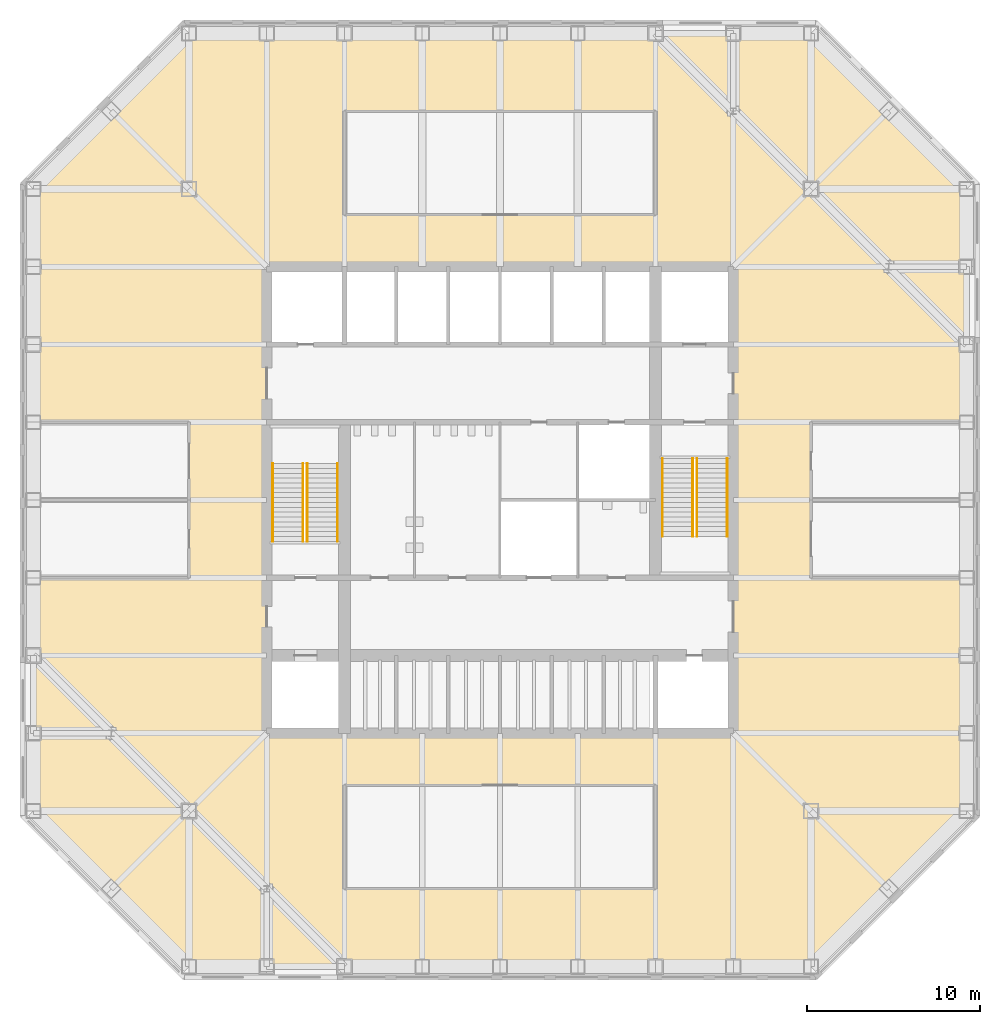
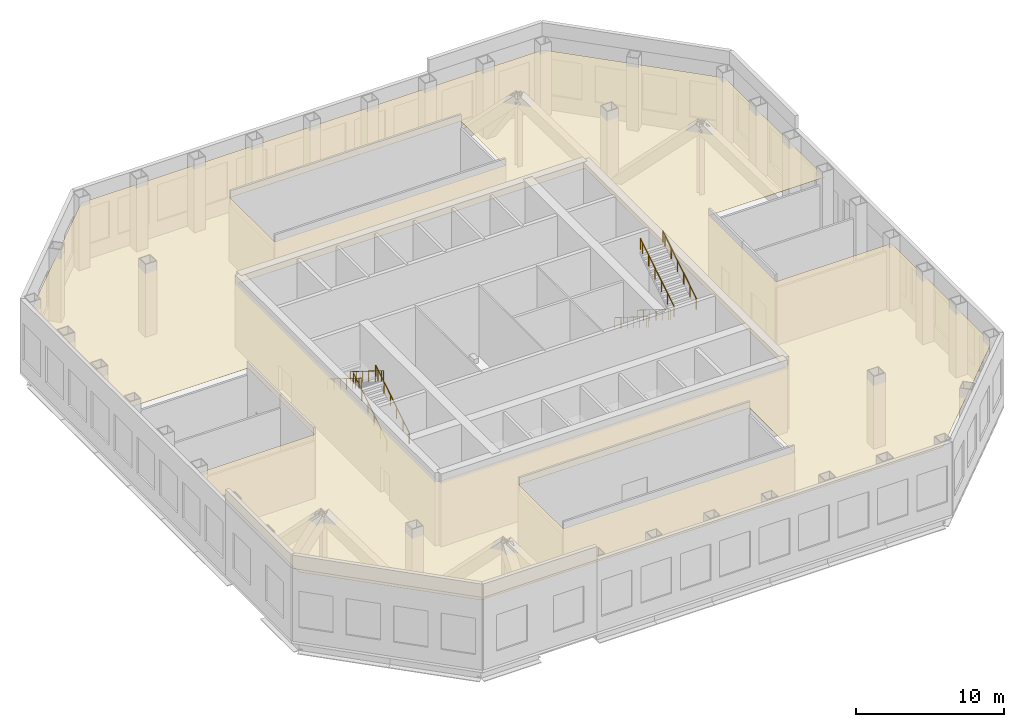
# One storey, part 10 of 11: 8 railings, 1 covering.
"""IFC4 building model written with IfcOpenShell, lengths in metres."""

from ifc_helpers import new_model, si_unit, direction, frame, origin, origin_2d, place, context, subcontext, project, spatial, polyline, circle, outline, extrude, material, layer, layer_set, type_object, element, save


model = new_model("IFC4")

# Units and contexts
model_context = context("Model", 3, precision=1e-05, world=origin(), true_north=direction((0.0, 1.0)))
body_context = subcontext(model_context, "Body", "Model", "MODEL_VIEW")
ifc_project = project(units=[si_unit("LENGTHUNIT", "METRE"), si_unit("AREAUNIT", "SQUARE_METRE"), si_unit("VOLUMEUNIT", "CUBIC_METRE"), si_unit("PLANEANGLEUNIT", "RADIAN"), si_unit("MASSUNIT", "GRAM", prefix="KILO")], contexts=[model_context])

# Site, building, storey
site_placement = place(None, origin())
site = spatial("IfcSite", under=ifc_project, at=site_placement, CompositionType="ELEMENT")
building_placement = place(site_placement, origin())
building = spatial("IfcBuilding", under=site, at=building_placement, Name="Corais Broadcast Tower", CompositionType="ELEMENT")
storey_placement = place(building_placement, frame((0.0, 0.0, 104.60009765625)))
storey = spatial("IfcBuildingStorey", under=building, at=storey_placement, Name="L23", CompositionType="ELEMENT", Elevation=104.60009765625)

# Railings
ifc_material_1 = material(Name="Stainless steel handrail", Category="steel")
railing_type = type_object("IfcRailingType", Name="Handrail 920", PredefinedType="HANDRAIL", material=ifc_material_1)
for number, where, name in (
    (1, (17.60009765625, 24.60009765625, 0.17626953125), "HR1 L23"),
    (2, (15.85009765625, 24.60009765625, 0.17626953125), "HR1 L23"),
):
    element("IfcRailing", number, at=place(storey_placement, frame(where)), inside=storey, type_object=railing_type, Name=name, PredefinedType="HANDRAIL", context=body_context, shape_type="SweptSolid", body=[
        extrude(circle(Radius=0.02392578125, at=origin_2d()), frame((0.0, 0.0, 0.89599609375), z_axis=(0.0, 0.847681201321, 0.530505966911), x_axis=(-1.0, 0.0, 0.0)), (0.0, 0.0, 1.0), 5.32275390625),
        extrude(circle(Radius=0.02099609375, at=origin_2d()), origin(), (0.0, 0.0, 1.0), 0.871826171875),
        extrude(circle(Radius=0.02099609375, at=origin_2d()), frame((0.0, 0.845947265625, 0.529541015625)), (0.0, 0.0, 1.0), 0.871826171875),
        extrude(circle(Radius=0.02099609375, at=origin_2d()), frame((0.0, 1.69189453125, 1.058837890625)), (0.0, 0.0, 1.0), 0.871826171875),
        extrude(circle(Radius=0.02099609375, at=origin_2d()), frame((0.0, 2.5380859375, 1.58837890625)), (0.0, 0.0, 1.0), 0.871826171875),
        extrude(circle(Radius=0.02099609375, at=origin_2d()), frame((0.0, 3.384033203125, 2.11767578125)), (0.0, 0.0, 1.0), 0.871826171875),
        extrude(circle(Radius=0.02099609375, at=origin_2d()), frame((0.0, 4.22998046875, 2.647216796875)), (0.0, 0.0, 1.0), 0.871826171875),
        extrude(circle(Radius=0.02099609375, at=origin_2d()), frame((0.0, 4.511962890625, 2.82373046875)), (0.0, 0.0, 1.0), 0.871826171875),
    ])
for number, where, name in (
    (3, (13.85009765625, 29.112060546875, 3.17626953125), "HR1 L23"),
    (4, (15.60009765625, 29.112060546875, 3.17626953125), "HR1 L23"),
    (5, (36.39990234375, 29.39990234375, 0.17626953125), "HR1 L23"),
    (6, (38.14990234375, 29.39990234375, 0.17626953125), "HR1 L23"),
):
    element("IfcRailing", number, at=place(storey_placement, frame(where)), inside=storey, type_object=railing_type, Name=name, PredefinedType="HANDRAIL", context=body_context, shape_type="SweptSolid", body=[
        extrude(circle(Radius=0.02392578125, at=origin_2d()), frame((0.0, 0.0, 0.89599609375), z_axis=(0.0, -0.847681201321, 0.530505966911), x_axis=(1.0, 0.0, 0.0)), (0.0, 0.0, 1.0), 5.32275390625),
        extrude(circle(Radius=0.02099609375, at=origin_2d()), origin(), (0.0, 0.0, 1.0), 0.871826171875),
        extrude(circle(Radius=0.02099609375, at=origin_2d()), frame((0.0, -0.845947265625, 0.529541015625)), (0.0, 0.0, 1.0), 0.871826171875),
        extrude(circle(Radius=0.02099609375, at=origin_2d()), frame((0.0, -1.69189453125, 1.058837890625)), (0.0, 0.0, 1.0), 0.871826171875),
        extrude(circle(Radius=0.02099609375, at=origin_2d()), frame((0.0, -2.5380859375, 1.58837890625)), (0.0, 0.0, 1.0), 0.871826171875),
        extrude(circle(Radius=0.02099609375, at=origin_2d()), frame((0.0, -3.384033203125, 2.11767578125)), (0.0, 0.0, 1.0), 0.871826171875),
        extrude(circle(Radius=0.02099609375, at=origin_2d()), frame((0.0, -4.22998046875, 2.647216796875)), (0.0, 0.0, 1.0), 0.871826171875),
        extrude(circle(Radius=0.02099609375, at=origin_2d()), frame((0.0, -4.511962890625, 2.82373046875)), (0.0, 0.0, 1.0), 0.871826171875),
    ])
for number, where, name in (
    (7, (40.14990234375, 24.887939453125, 3.17626953125), "HR1 L23"),
    (8, (38.39990234375, 24.887939453125, 3.17626953125), "HR1 L23"),
):
    element("IfcRailing", number, at=place(storey_placement, frame(where)), inside=storey, type_object=railing_type, Name=name, PredefinedType="HANDRAIL", context=body_context, shape_type="SweptSolid", body=[
        extrude(circle(Radius=0.02392578125, at=origin_2d()), frame((0.0, 0.0, 0.89599609375), z_axis=(0.0, 0.847681201321, 0.530505966911), x_axis=(-1.0, 0.0, 0.0)), (0.0, 0.0, 1.0), 5.32275390625),
        extrude(circle(Radius=0.02099609375, at=origin_2d()), origin(), (0.0, 0.0, 1.0), 0.871826171875),
        extrude(circle(Radius=0.02099609375, at=origin_2d()), frame((0.0, 0.845947265625, 0.529541015625)), (0.0, 0.0, 1.0), 0.871826171875),
        extrude(circle(Radius=0.02099609375, at=origin_2d()), frame((0.0, 1.69189453125, 1.058837890625)), (0.0, 0.0, 1.0), 0.871826171875),
        extrude(circle(Radius=0.02099609375, at=origin_2d()), frame((0.0, 2.5380859375, 1.58837890625)), (0.0, 0.0, 1.0), 0.871826171875),
        extrude(circle(Radius=0.02099609375, at=origin_2d()), frame((0.0, 3.384033203125, 2.11767578125)), (0.0, 0.0, 1.0), 0.871826171875),
        extrude(circle(Radius=0.02099609375, at=origin_2d()), frame((0.0, 4.22998046875, 2.647216796875)), (0.0, 0.0, 1.0), 0.871826171875),
        extrude(circle(Radius=0.02099609375, at=origin_2d()), frame((0.0, 4.511962890625, 2.82373046875)), (0.0, 0.0, 1.0), 0.871826171875),
    ])

# Covering
ifc_material_2 = material(Name="Mineral fibre ceiling tile", Category="mineral")
ifc_layer = layer(ifc_material_2, 0.02001953125)
ifc_layer_set = layer_set([ifc_layer], Name="Mineral fibre ceiling tile")
covering_type = type_object("IfcCoveringType", Name="Suspended ceiling", PredefinedType="CEILING", material=ifc_layer_set)
covering_placement = place(storey_placement, frame((0.0, 0.0, 5.199951171875)))
element("IfcCovering", 9, at=covering_placement, inside=storey, type_object=covering_type, Name="CE1 ceiling L23", PredefinedType="CEILING", context=body_context, shape_type="SweptSolid", body=[
    extrude(outline(polyline([(0.0, 22.5), (9.0, 22.5), (9.0, 31.5), (0.0, 31.5), (0.0, 45.0), (9.0, 54.0), (45.0, 54.0), (54.0, 45.0), (54.0, 31.5), (45.0, 31.5), (45.0, 22.5), (54.0, 22.5), (54.0, 9.0), (45.0, 0.0), (9.0, 0.0), (0.0, 9.0), (0.0, 22.5)]), holes=[polyline([(13.5, 40.5), (13.5, 13.5), (40.5, 13.5), (40.5, 40.5), (13.5, 40.5)]), polyline([(18.0, 10.5), (18.0, 4.5), (36.0, 4.5), (36.0, 10.5), (18.0, 10.5)]), polyline([(36.0, 49.5), (18.0, 49.5), (18.0, 43.5), (36.0, 43.5), (36.0, 49.5)])]), origin(), (0.0, 0.0, 1.0), 0.02001953125),
])

save(model, "model.ifc")
